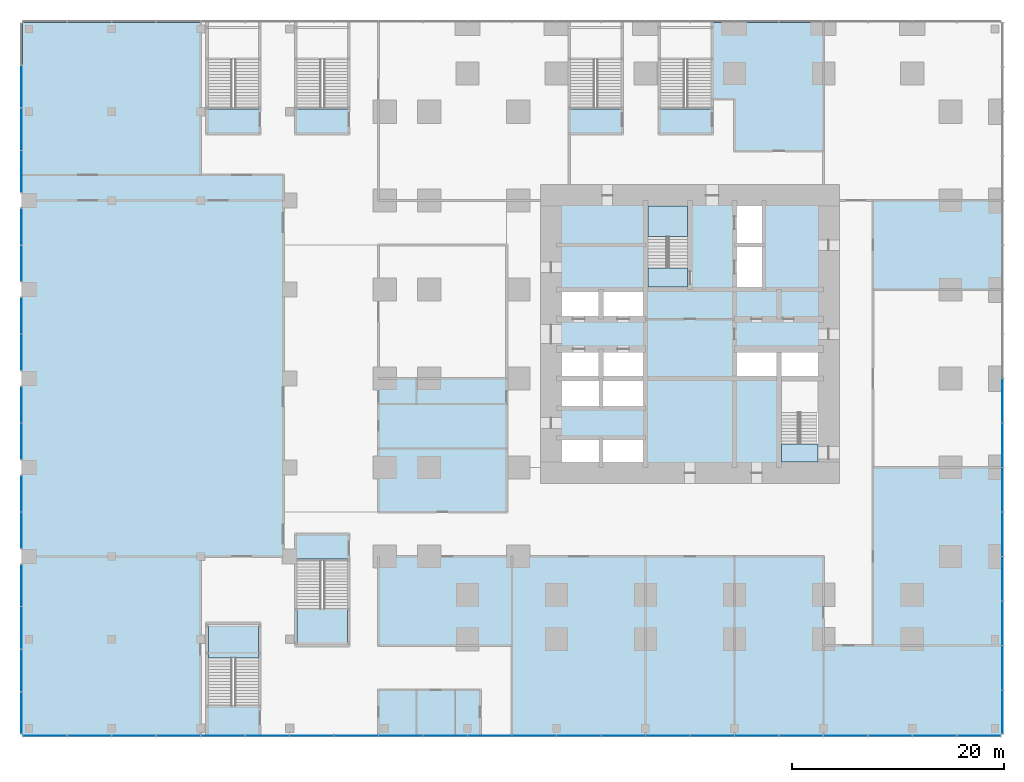
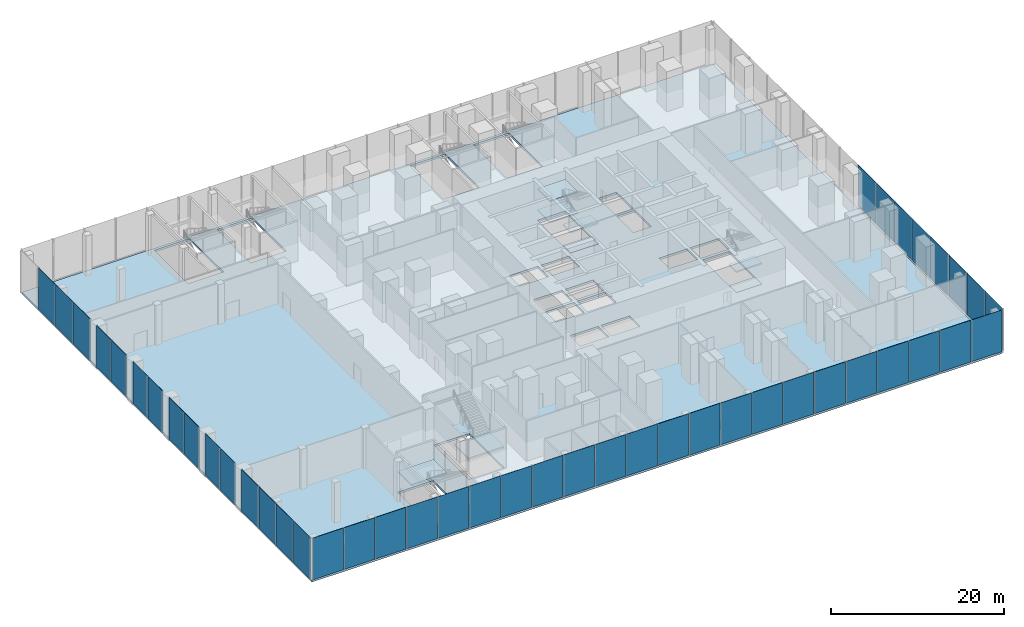
# One storey, part 23 of 32: 45 plates, 9 slabs, 12 elements without a shape of their own.
"""IFC4 building model written with IfcOpenShell, lengths in metres."""

from ifc_helpers import new_model, si_unit, direction, frame, origin, origin_2d, place, context, subcontext, project, spatial, polyline, rectangle, outline, extrude, material, layer, layer_set, type_object, element, aggregate, save


model = new_model("IFC4")

# Units and contexts
model_context = context("Model", 3, precision=1e-05, world=origin(), true_north=direction((0.0, 1.0)))
body_context = subcontext(model_context, "Body", "Model", "MODEL_VIEW")
ifc_project = project(units=[si_unit("LENGTHUNIT", "METRE"), si_unit("AREAUNIT", "SQUARE_METRE"), si_unit("VOLUMEUNIT", "CUBIC_METRE"), si_unit("PLANEANGLEUNIT", "RADIAN"), si_unit("MASSUNIT", "GRAM", prefix="KILO")], contexts=[model_context])

# Site, building, storey
site_placement = place(None, origin())
site = spatial("IfcSite", under=ifc_project, at=site_placement, CompositionType="ELEMENT")
building_placement = place(site_placement, origin())
building = spatial("IfcBuilding", under=site, at=building_placement, Name="Dunama Terrace Hotel", CompositionType="ELEMENT")
storey_placement = place(building_placement, frame((0.0, 0.0, 6.0)))
storey = spatial("IfcBuildingStorey", under=building, at=storey_placement, Name="L01", CompositionType="ELEMENT", Elevation=6.0)

# Curtain wall, plates
ifc_material_1 = material(Name="Aluminium curtain wall system", Category="aluminium")
curtain_wall_type = type_object("IfcCurtainWallType", Name="Podium storefront glazing CW-E", PredefinedType="NOTDEFINED", material=ifc_material_1)
curtain_wall_1_placement = place(storey_placement, origin())
curtain_wall_1 = element("IfcCurtainWall", 1, at=curtain_wall_1_placement, inside=storey, type_object=curtain_wall_type, Name="Podium storefront glazing CW-E L01", PredefinedType="NOTDEFINED")
ifc_material_2 = material(Name="Laminated glass", Category="glass")
ifc_layer_1 = layer(ifc_material_2, 0.033935546875)
ifc_layer_set_1 = layer_set([ifc_layer_1], Name="CWE clear glass panel")
plate_type_1 = type_object("IfcPlateType", Name="CWE clear glass panel", PredefinedType="CURTAIN_PANEL", material=ifc_layer_set_1)
plate_1_placement = place(storey_placement, frame((-31.47998046875, -8.52490234375, 0.08984375), z_axis=(0.0, 0.0, 1.0), x_axis=(1.0, 0.0, 0.0)))
plate_1 = element("IfcPlate", 2, at=plate_1_placement, type_object=plate_type_1, Name="CWE clear glass panel", PredefinedType="CURTAIN_PANEL", context=body_context, shape_type="SweptSolid", body=[
    extrude(rectangle(XDim=4.080078125, YDim=0.033935546875, at=origin_2d()), origin(), (0.0, 0.0, 1.0), 5.909912109375),
])
plate_2_placement = place(storey_placement, frame((-18.89990234375, -8.52490234375, 0.08984375), z_axis=(0.0, 0.0, 1.0), x_axis=(1.0, 0.0, 0.0)))
plate_2 = element("IfcPlate", 3, at=plate_2_placement, type_object=plate_type_1, Name="CWE clear glass panel", PredefinedType="CURTAIN_PANEL", context=body_context, shape_type="SweptSolid", body=[
    extrude(rectangle(XDim=4.1201171875, YDim=0.033935546875, at=origin_2d()), origin(), (0.0, 0.0, 1.0), 5.909912109375),
])
plate_3_placement = place(storey_placement, frame((-6.300048828125, -8.52490234375, 0.08984375), z_axis=(0.0, 0.0, 1.0), x_axis=(1.0, 0.0, 0.0)))
plate_3 = element("IfcPlate", 4, at=plate_3_placement, type_object=plate_type_1, Name="CWE clear glass panel", PredefinedType="CURTAIN_PANEL", context=body_context, shape_type="SweptSolid", body=[
    extrude(rectangle(XDim=4.1201171875, YDim=0.033935546875, at=origin_2d()), origin(), (0.0, 0.0, 1.0), 5.909912109375),
])
plate_4_placement = place(storey_placement, frame((6.300048828125, -8.52490234375, 0.08984375), z_axis=(0.0, 0.0, 1.0), x_axis=(1.0, 0.0, 0.0)))
plate_4 = element("IfcPlate", 5, at=plate_4_placement, type_object=plate_type_1, Name="CWE clear glass panel", PredefinedType="CURTAIN_PANEL", context=body_context, shape_type="SweptSolid", body=[
    extrude(rectangle(XDim=4.1201171875, YDim=0.033935546875, at=origin_2d()), origin(), (0.0, 0.0, 1.0), 5.909912109375),
])
plate_5_placement = place(storey_placement, frame((18.89990234375, -8.52490234375, 0.08984375), z_axis=(0.0, 0.0, 1.0), x_axis=(1.0, 0.0, 0.0)))
plate_5 = element("IfcPlate", 6, at=plate_5_placement, type_object=plate_type_1, Name="CWE clear glass panel", PredefinedType="CURTAIN_PANEL", context=body_context, shape_type="SweptSolid", body=[
    extrude(rectangle(XDim=4.1201171875, YDim=0.033935546875, at=origin_2d()), origin(), (0.0, 0.0, 1.0), 5.909912109375),
])
plate_6_placement = place(storey_placement, frame((31.5, -8.52490234375, 0.08984375), z_axis=(0.0, 0.0, 1.0), x_axis=(1.0, 0.0, 0.0)))
plate_6 = element("IfcPlate", 7, at=plate_6_placement, type_object=plate_type_1, Name="CWE clear glass panel", PredefinedType="CURTAIN_PANEL", context=body_context, shape_type="SweptSolid", body=[
    extrude(rectangle(XDim=4.1201171875, YDim=0.033935546875, at=origin_2d()), origin(), (0.0, 0.0, 1.0), 5.909912109375),
])
plate_7_placement = place(storey_placement, frame((44.10009765625, -8.52490234375, 0.08984375), z_axis=(0.0, 0.0, 1.0), x_axis=(1.0, 0.0, 0.0)))
plate_7 = element("IfcPlate", 8, at=plate_7_placement, type_object=plate_type_1, Name="CWE clear glass panel", PredefinedType="CURTAIN_PANEL", context=body_context, shape_type="SweptSolid", body=[
    extrude(rectangle(XDim=4.1201171875, YDim=0.033935546875, at=origin_2d()), origin(), (0.0, 0.0, 1.0), 5.909912109375),
])
plate_8_placement = place(storey_placement, frame((56.679931640625, -8.52490234375, 0.08984375), z_axis=(0.0, 0.0, 1.0), x_axis=(1.0, 0.0, 0.0)))
plate_8 = element("IfcPlate", 9, at=plate_8_placement, type_object=plate_type_1, Name="CWE clear glass panel", PredefinedType="CURTAIN_PANEL", context=body_context, shape_type="SweptSolid", body=[
    extrude(rectangle(XDim=4.080078125, YDim=0.033935546875, at=origin_2d()), origin(), (0.0, 0.0, 1.0), 5.909912109375),
])

curtain_wall_2_placement = place(storey_placement, origin())
curtain_wall_2 = element("IfcCurtainWall", 10, at=curtain_wall_2_placement, inside=storey, type_object=curtain_wall_type, Name="Podium storefront glazing CW-E L01", PredefinedType="NOTDEFINED")
plate_9_placement = place(storey_placement, frame((58.925048828125, -6.280029296875, 0.08984375), z_axis=(0.0, 0.0, 1.0), x_axis=(0.0, 1.0, 0.0)))
plate_9 = element("IfcPlate", 11, at=plate_9_placement, type_object=plate_type_1, Name="CWE clear glass panel", PredefinedType="CURTAIN_PANEL", context=body_context, shape_type="SweptSolid", body=[
    extrude(rectangle(XDim=4.080078125, YDim=0.033935546875, at=origin_2d()), origin(), (0.0, 0.0, 1.0), 5.909912109375),
])
plate_10_placement = place(storey_placement, frame((58.925048828125, 6.300048828125, 0.08984375), z_axis=(0.0, 0.0, 1.0), x_axis=(0.0, 1.0, 0.0)))
plate_10 = element("IfcPlate", 12, at=plate_10_placement, type_object=plate_type_1, Name="CWE clear glass panel", PredefinedType="CURTAIN_PANEL", context=body_context, shape_type="SweptSolid", body=[
    extrude(rectangle(XDim=4.1201171875, YDim=0.033935546875, at=origin_2d()), origin(), (0.0, 0.0, 1.0), 5.909912109375),
])
plate_11_placement = place(storey_placement, frame((58.925048828125, 18.89990234375, 0.08984375), z_axis=(0.0, 0.0, 1.0), x_axis=(0.0, 1.0, 0.0)))
plate_11 = element("IfcPlate", 13, at=plate_11_placement, type_object=plate_type_1, Name="CWE clear glass panel", PredefinedType="CURTAIN_PANEL", context=body_context, shape_type="SweptSolid", body=[
    extrude(rectangle(XDim=4.1201171875, YDim=0.033935546875, at=origin_2d()), origin(), (0.0, 0.0, 1.0), 5.909912109375),
])

# Curtain wall, plate
curtain_wall_3_placement = place(storey_placement, origin())
curtain_wall_3 = element("IfcCurtainWall", 14, at=curtain_wall_3_placement, inside=storey, type_object=curtain_wall_type, Name="Podium storefront glazing CW-E L01", PredefinedType="NOTDEFINED")
plate_12_placement = place(storey_placement, frame((-33.72509765625, 44.73291015625, 0.08984375), z_axis=(0.0, 0.0, 1.0), x_axis=(0.0, -1.0, 0.0)))
plate_12 = element("IfcPlate", 15, at=plate_12_placement, type_object=plate_type_1, Name="CWE clear glass panel", PredefinedType="CURTAIN_PANEL", context=body_context, shape_type="SweptSolid", body=[
    extrude(rectangle(XDim=3.905029296875, YDim=0.033935546875, at=origin_2d()), origin(), (0.0, 0.0, 1.0), 5.909912109375),
])

curtain_wall_4_placement = place(storey_placement, origin())
curtain_wall_4 = element("IfcCurtainWall", 16, at=curtain_wall_4_placement, inside=storey, type_object=curtain_wall_type, Name="Podium storefront glazing CW-E L01", PredefinedType="NOTDEFINED")
plate_13_placement = place(storey_placement, frame((-33.72509765625, 39.530029296875, 0.08984375), z_axis=(0.0, 0.0, 1.0), x_axis=(0.0, -1.0, 0.0)))
plate_13 = element("IfcPlate", 17, at=plate_13_placement, type_object=plate_type_1, Name="CWE clear glass panel", PredefinedType="CURTAIN_PANEL", context=body_context, shape_type="SweptSolid", body=[
    extrude(rectangle(XDim=3.3798828125, YDim=0.033935546875, at=origin_2d()), origin(), (0.0, 0.0, 1.0), 5.909912109375),
])

curtain_wall_5_placement = place(storey_placement, origin())
curtain_wall_5 = element("IfcCurtainWall", 18, at=curtain_wall_5_placement, inside=storey, type_object=curtain_wall_type, Name="Podium storefront glazing CW-E L01", PredefinedType="NOTDEFINED")
plate_14_placement = place(storey_placement, frame((-33.72509765625, 31.1298828125, 0.08984375), z_axis=(0.0, 0.0, 1.0), x_axis=(0.0, -1.0, 0.0)))
plate_14 = element("IfcPlate", 19, at=plate_14_placement, type_object=plate_type_1, Name="CWE clear glass panel", PredefinedType="CURTAIN_PANEL", context=body_context, shape_type="SweptSolid", body=[
    extrude(rectangle(XDim=3.3798828125, YDim=0.033935546875, at=origin_2d()), origin(), (0.0, 0.0, 1.0), 5.909912109375),
])

curtain_wall_6_placement = place(storey_placement, origin())
curtain_wall_6 = element("IfcCurtainWall", 20, at=curtain_wall_6_placement, inside=storey, type_object=curtain_wall_type, Name="Podium storefront glazing CW-E L01", PredefinedType="NOTDEFINED")
plate_15_placement = place(storey_placement, frame((-33.72509765625, 22.72998046875, 0.08984375), z_axis=(0.0, 0.0, 1.0), x_axis=(0.0, -1.0, 0.0)))
plate_15 = element("IfcPlate", 21, at=plate_15_placement, type_object=plate_type_1, Name="CWE clear glass panel", PredefinedType="CURTAIN_PANEL", context=body_context, shape_type="SweptSolid", body=[
    extrude(rectangle(XDim=3.3798828125, YDim=0.033935546875, at=origin_2d()), origin(), (0.0, 0.0, 1.0), 5.909912109375),
])

curtain_wall_7_placement = place(storey_placement, origin())
curtain_wall_7 = element("IfcCurtainWall", 22, at=curtain_wall_7_placement, inside=storey, type_object=curtain_wall_type, Name="Podium storefront glazing CW-E L01", PredefinedType="NOTDEFINED")
plate_16_placement = place(storey_placement, frame((-33.72509765625, 14.330078125, 0.08984375), z_axis=(0.0, 0.0, 1.0), x_axis=(0.0, -1.0, 0.0)))
plate_16 = element("IfcPlate", 23, at=plate_16_placement, type_object=plate_type_1, Name="CWE clear glass panel", PredefinedType="CURTAIN_PANEL", context=body_context, shape_type="SweptSolid", body=[
    extrude(rectangle(XDim=3.3798828125, YDim=0.033935546875, at=origin_2d()), origin(), (0.0, 0.0, 1.0), 5.909912109375),
])

# Curtain wall, plates
curtain_wall_8_placement = place(storey_placement, origin())
curtain_wall_8 = element("IfcCurtainWall", 24, at=curtain_wall_8_placement, inside=storey, type_object=curtain_wall_type, Name="Podium storefront glazing CW-E L01", PredefinedType="NOTDEFINED")
plate_17_placement = place(storey_placement, frame((-33.72509765625, 5.66796875, 0.08984375), z_axis=(0.0, 0.0, 1.0), x_axis=(0.0, -1.0, 0.0)))
plate_17 = element("IfcPlate", 25, at=plate_17_placement, type_object=plate_type_1, Name="CWE clear glass panel", PredefinedType="CURTAIN_PANEL", context=body_context, shape_type="SweptSolid", body=[
    extrude(rectangle(XDim=3.905029296875, YDim=0.033935546875, at=origin_2d()), origin(), (0.0, 0.0, 1.0), 5.909912109375),
])
plate_18_placement = place(storey_placement, frame((-33.72509765625, -6.367919921875, 0.08984375), z_axis=(0.0, 0.0, 1.0), x_axis=(0.0, -1.0, 0.0)))
plate_18 = element("IfcPlate", 26, at=plate_18_placement, type_object=plate_type_1, Name="CWE clear glass panel", PredefinedType="CURTAIN_PANEL", context=body_context, shape_type="SweptSolid", body=[
    extrude(rectangle(XDim=3.905029296875, YDim=0.033935546875, at=origin_2d()), origin(), (0.0, 0.0, 1.0), 5.909912109375),
])

# Plate
ifc_material_3 = material(Name="Fritted laminated glass", Category="glass")
ifc_layer_2 = layer(ifc_material_3, 0.033935546875)
ifc_layer_set_2 = layer_set([ifc_layer_2], Name="CWE fritted glass panel")
plate_type_2 = type_object("IfcPlateType", Name="CWE fritted glass panel", PredefinedType="CURTAIN_PANEL", material=ifc_layer_set_2)
plate_19_placement = place(storey_placement, frame((-23.10009765625, -8.52490234375, 0.08984375), z_axis=(0.0, 0.0, 1.0), x_axis=(1.0, 0.0, 0.0)))
plate_19 = element("IfcPlate", 27, at=plate_19_placement, type_object=plate_type_2, Name="CWE fritted glass panel", PredefinedType="CURTAIN_PANEL", context=body_context, shape_type="SweptSolid", body=[
    extrude(rectangle(XDim=4.1201171875, YDim=0.033935546875, at=origin_2d()), origin(), (0.0, 0.0, 1.0), 5.909912109375),
])

plate_20_placement = place(storey_placement, frame((-10.5, -8.52490234375, 0.08984375), z_axis=(0.0, 0.0, 1.0), x_axis=(1.0, 0.0, 0.0)))
plate_20 = element("IfcPlate", 28, at=plate_20_placement, type_object=plate_type_2, Name="CWE fritted glass panel", PredefinedType="CURTAIN_PANEL", context=body_context, shape_type="SweptSolid", body=[
    extrude(rectangle(XDim=4.1201171875, YDim=0.033935546875, at=origin_2d()), origin(), (0.0, 0.0, 1.0), 5.909912109375),
])

plate_21_placement = place(storey_placement, frame((2.10009765625, -8.52490234375, 0.08984375), z_axis=(0.0, 0.0, 1.0), x_axis=(1.0, 0.0, 0.0)))
plate_21 = element("IfcPlate", 29, at=plate_21_placement, type_object=plate_type_2, Name="CWE fritted glass panel", PredefinedType="CURTAIN_PANEL", context=body_context, shape_type="SweptSolid", body=[
    extrude(rectangle(XDim=4.1201171875, YDim=0.033935546875, at=origin_2d()), origin(), (0.0, 0.0, 1.0), 5.909912109375),
])

plate_22_placement = place(storey_placement, frame((14.699951171875, -8.52490234375, 0.08984375), z_axis=(0.0, 0.0, 1.0), x_axis=(1.0, 0.0, 0.0)))
plate_22 = element("IfcPlate", 30, at=plate_22_placement, type_object=plate_type_2, Name="CWE fritted glass panel", PredefinedType="CURTAIN_PANEL", context=body_context, shape_type="SweptSolid", body=[
    extrude(rectangle(XDim=4.1201171875, YDim=0.033935546875, at=origin_2d()), origin(), (0.0, 0.0, 1.0), 5.909912109375),
])

plate_23_placement = place(storey_placement, frame((27.300048828125, -8.52490234375, 0.08984375), z_axis=(0.0, 0.0, 1.0), x_axis=(1.0, 0.0, 0.0)))
plate_23 = element("IfcPlate", 31, at=plate_23_placement, type_object=plate_type_2, Name="CWE fritted glass panel", PredefinedType="CURTAIN_PANEL", context=body_context, shape_type="SweptSolid", body=[
    extrude(rectangle(XDim=4.1201171875, YDim=0.033935546875, at=origin_2d()), origin(), (0.0, 0.0, 1.0), 5.909912109375),
])

plate_24_placement = place(storey_placement, frame((39.89990234375, -8.52490234375, 0.08984375), z_axis=(0.0, 0.0, 1.0), x_axis=(1.0, 0.0, 0.0)))
plate_24 = element("IfcPlate", 32, at=plate_24_placement, type_object=plate_type_2, Name="CWE fritted glass panel", PredefinedType="CURTAIN_PANEL", context=body_context, shape_type="SweptSolid", body=[
    extrude(rectangle(XDim=4.1201171875, YDim=0.033935546875, at=origin_2d()), origin(), (0.0, 0.0, 1.0), 5.909912109375),
])

plate_25_placement = place(storey_placement, frame((52.5, -8.52490234375, 0.08984375), z_axis=(0.0, 0.0, 1.0), x_axis=(1.0, 0.0, 0.0)))
plate_25 = element("IfcPlate", 33, at=plate_25_placement, type_object=plate_type_2, Name="CWE fritted glass panel", PredefinedType="CURTAIN_PANEL", context=body_context, shape_type="SweptSolid", body=[
    extrude(rectangle(XDim=4.1201171875, YDim=0.033935546875, at=origin_2d()), origin(), (0.0, 0.0, 1.0), 5.909912109375),
])

plate_26_placement = place(storey_placement, frame((58.925048828125, 2.10009765625, 0.08984375), z_axis=(0.0, 0.0, 1.0), x_axis=(0.0, 1.0, 0.0)))
plate_26 = element("IfcPlate", 34, at=plate_26_placement, type_object=plate_type_2, Name="CWE fritted glass panel", PredefinedType="CURTAIN_PANEL", context=body_context, shape_type="SweptSolid", body=[
    extrude(rectangle(XDim=4.1201171875, YDim=0.033935546875, at=origin_2d()), origin(), (0.0, 0.0, 1.0), 5.909912109375),
])

plate_27_placement = place(storey_placement, frame((58.925048828125, 14.699951171875, 0.08984375), z_axis=(0.0, 0.0, 1.0), x_axis=(0.0, 1.0, 0.0)))
plate_27 = element("IfcPlate", 35, at=plate_27_placement, type_object=plate_type_2, Name="CWE fritted glass panel", PredefinedType="CURTAIN_PANEL", context=body_context, shape_type="SweptSolid", body=[
    extrude(rectangle(XDim=4.1201171875, YDim=0.033935546875, at=origin_2d()), origin(), (0.0, 0.0, 1.0), 5.909912109375),
])

plate_28_placement = place(storey_placement, frame((-33.72509765625, 48.737060546875, 0.08984375), z_axis=(0.0, 0.0, 1.0), x_axis=(0.0, -1.0, 0.0)))
plate_28 = element("IfcPlate", 36, at=plate_28_placement, type_object=plate_type_2, Name="CWE fritted glass panel", PredefinedType="CURTAIN_PANEL", context=body_context, shape_type="SweptSolid", body=[
    extrude(rectangle(XDim=3.945068359375, YDim=0.033935546875, at=origin_2d()), origin(), (0.0, 0.0, 1.0), 5.909912109375),
])

plate_29_placement = place(storey_placement, frame((-33.72509765625, -2.362060546875, 0.08984375), z_axis=(0.0, 0.0, 1.0), x_axis=(0.0, -1.0, 0.0)))
plate_29 = element("IfcPlate", 37, at=plate_29_placement, type_object=plate_type_2, Name="CWE fritted glass panel", PredefinedType="CURTAIN_PANEL", context=body_context, shape_type="SweptSolid", body=[
    extrude(rectangle(XDim=3.945068359375, YDim=0.033935546875, at=origin_2d()), origin(), (0.0, 0.0, 1.0), 5.909912109375),
])

ifc_material_4 = material(Name="Laminated glass", Category="glass")
ifc_layer_3 = layer(ifc_material_4, 0.033935546875)
ifc_layer_set_3 = layer_set([ifc_layer_3], Name="CWE operable glass panel")
plate_type_3 = type_object("IfcPlateType", Name="CWE operable glass panel", PredefinedType="CURTAIN_PANEL", material=ifc_layer_set_3)
plate_30_placement = place(storey_placement, frame((-27.300048828125, -8.52490234375, 0.08984375), z_axis=(0.0, 0.0, 1.0), x_axis=(1.0, 0.0, 0.0)))
plate_30 = element("IfcPlate", 38, at=plate_30_placement, type_object=plate_type_3, Name="CWE operable glass panel", PredefinedType="CURTAIN_PANEL", context=body_context, shape_type="SweptSolid", body=[
    extrude(rectangle(XDim=4.1201171875, YDim=0.033935546875, at=origin_2d()), origin(), (0.0, 0.0, 1.0), 5.909912109375),
])

plate_31_placement = place(storey_placement, frame((-14.699951171875, -8.52490234375, 0.08984375), z_axis=(0.0, 0.0, 1.0), x_axis=(1.0, 0.0, 0.0)))
plate_31 = element("IfcPlate", 39, at=plate_31_placement, type_object=plate_type_3, Name="CWE operable glass panel", PredefinedType="CURTAIN_PANEL", context=body_context, shape_type="SweptSolid", body=[
    extrude(rectangle(XDim=4.1201171875, YDim=0.033935546875, at=origin_2d()), origin(), (0.0, 0.0, 1.0), 5.909912109375),
])

plate_32_placement = place(storey_placement, frame((-2.10009765625, -8.52490234375, 0.08984375), z_axis=(0.0, 0.0, 1.0), x_axis=(1.0, 0.0, 0.0)))
plate_32 = element("IfcPlate", 40, at=plate_32_placement, type_object=plate_type_3, Name="CWE operable glass panel", PredefinedType="CURTAIN_PANEL", context=body_context, shape_type="SweptSolid", body=[
    extrude(rectangle(XDim=4.1201171875, YDim=0.033935546875, at=origin_2d()), origin(), (0.0, 0.0, 1.0), 5.909912109375),
])

plate_33_placement = place(storey_placement, frame((10.5, -8.52490234375, 0.08984375), z_axis=(0.0, 0.0, 1.0), x_axis=(1.0, 0.0, 0.0)))
plate_33 = element("IfcPlate", 41, at=plate_33_placement, type_object=plate_type_3, Name="CWE operable glass panel", PredefinedType="CURTAIN_PANEL", context=body_context, shape_type="SweptSolid", body=[
    extrude(rectangle(XDim=4.1201171875, YDim=0.033935546875, at=origin_2d()), origin(), (0.0, 0.0, 1.0), 5.909912109375),
])

plate_34_placement = place(storey_placement, frame((23.10009765625, -8.52490234375, 0.08984375), z_axis=(0.0, 0.0, 1.0), x_axis=(1.0, 0.0, 0.0)))
plate_34 = element("IfcPlate", 42, at=plate_34_placement, type_object=plate_type_3, Name="CWE operable glass panel", PredefinedType="CURTAIN_PANEL", context=body_context, shape_type="SweptSolid", body=[
    extrude(rectangle(XDim=4.1201171875, YDim=0.033935546875, at=origin_2d()), origin(), (0.0, 0.0, 1.0), 5.909912109375),
])

plate_35_placement = place(storey_placement, frame((35.699951171875, -8.52490234375, 0.08984375), z_axis=(0.0, 0.0, 1.0), x_axis=(1.0, 0.0, 0.0)))
plate_35 = element("IfcPlate", 43, at=plate_35_placement, type_object=plate_type_3, Name="CWE operable glass panel", PredefinedType="CURTAIN_PANEL", context=body_context, shape_type="SweptSolid", body=[
    extrude(rectangle(XDim=4.1201171875, YDim=0.033935546875, at=origin_2d()), origin(), (0.0, 0.0, 1.0), 5.909912109375),
])

plate_36_placement = place(storey_placement, frame((48.300048828125, -8.52490234375, 0.08984375), z_axis=(0.0, 0.0, 1.0), x_axis=(1.0, 0.0, 0.0)))
plate_36 = element("IfcPlate", 44, at=plate_36_placement, type_object=plate_type_3, Name="CWE operable glass panel", PredefinedType="CURTAIN_PANEL", context=body_context, shape_type="SweptSolid", body=[
    extrude(rectangle(XDim=4.1201171875, YDim=0.033935546875, at=origin_2d()), origin(), (0.0, 0.0, 1.0), 5.909912109375),
])

aggregate(curtain_wall_1, [plate_1, plate_30, plate_19, plate_2, plate_31, plate_20, plate_3, plate_32, plate_21, plate_4, plate_33, plate_22, plate_5, plate_34, plate_23, plate_6, plate_35, plate_24, plate_7, plate_36, plate_25, plate_8])

plate_37_placement = place(storey_placement, frame((58.925048828125, -2.10009765625, 0.08984375), z_axis=(0.0, 0.0, 1.0), x_axis=(0.0, 1.0, 0.0)))
plate_37 = element("IfcPlate", 45, at=plate_37_placement, type_object=plate_type_3, Name="CWE operable glass panel", PredefinedType="CURTAIN_PANEL", context=body_context, shape_type="SweptSolid", body=[
    extrude(rectangle(XDim=4.1201171875, YDim=0.033935546875, at=origin_2d()), origin(), (0.0, 0.0, 1.0), 5.909912109375),
])

plate_38_placement = place(storey_placement, frame((58.925048828125, 10.5, 0.08984375), z_axis=(0.0, 0.0, 1.0), x_axis=(0.0, 1.0, 0.0)))
plate_38 = element("IfcPlate", 46, at=plate_38_placement, type_object=plate_type_3, Name="CWE operable glass panel", PredefinedType="CURTAIN_PANEL", context=body_context, shape_type="SweptSolid", body=[
    extrude(rectangle(XDim=4.1201171875, YDim=0.033935546875, at=origin_2d()), origin(), (0.0, 0.0, 1.0), 5.909912109375),
])

plate_39_placement = place(storey_placement, frame((58.925048828125, 23.10009765625, 0.08984375), z_axis=(0.0, 0.0, 1.0), x_axis=(0.0, 1.0, 0.0)))
plate_39 = element("IfcPlate", 47, at=plate_39_placement, type_object=plate_type_3, Name="CWE operable glass panel", PredefinedType="CURTAIN_PANEL", context=body_context, shape_type="SweptSolid", body=[
    extrude(rectangle(XDim=4.1201171875, YDim=0.033935546875, at=origin_2d()), origin(), (0.0, 0.0, 1.0), 5.909912109375),
])

aggregate(curtain_wall_2, [plate_9, plate_37, plate_26, plate_10, plate_38, plate_27, plate_11, plate_39])

plate_40_placement = place(storey_placement, frame((-33.72509765625, 52.762939453125, 0.08984375), z_axis=(0.0, 0.0, 1.0), x_axis=(0.0, -1.0, 0.0)))
plate_40 = element("IfcPlate", 48, at=plate_40_placement, type_object=plate_type_3, Name="CWE operable glass panel", PredefinedType="CURTAIN_PANEL", context=body_context, shape_type="SweptSolid", body=[
    extrude(rectangle(XDim=3.945068359375, YDim=0.033935546875, at=origin_2d()), origin(), (0.0, 0.0, 1.0), 5.909912109375),
])

aggregate(curtain_wall_3, [plate_40, plate_28, plate_12])

plate_41_placement = place(storey_placement, frame((-33.72509765625, 36.070068359375, 0.08984375), z_axis=(0.0, 0.0, 1.0), x_axis=(0.0, -1.0, 0.0)))
plate_41 = element("IfcPlate", 49, at=plate_41_placement, type_object=plate_type_3, Name="CWE operable glass panel", PredefinedType="CURTAIN_PANEL", context=body_context, shape_type="SweptSolid", body=[
    extrude(rectangle(XDim=3.3798828125, YDim=0.033935546875, at=origin_2d()), origin(), (0.0, 0.0, 1.0), 5.909912109375),
])

aggregate(curtain_wall_4, [plate_13, plate_41])

plate_42_placement = place(storey_placement, frame((-33.72509765625, 27.669921875, 0.08984375), z_axis=(0.0, 0.0, 1.0), x_axis=(0.0, -1.0, 0.0)))
plate_42 = element("IfcPlate", 50, at=plate_42_placement, type_object=plate_type_3, Name="CWE operable glass panel", PredefinedType="CURTAIN_PANEL", context=body_context, shape_type="SweptSolid", body=[
    extrude(rectangle(XDim=3.3798828125, YDim=0.033935546875, at=origin_2d()), origin(), (0.0, 0.0, 1.0), 5.909912109375),
])

aggregate(curtain_wall_5, [plate_14, plate_42])

plate_43_placement = place(storey_placement, frame((-33.72509765625, 19.27001953125, 0.08984375), z_axis=(0.0, 0.0, 1.0), x_axis=(0.0, -1.0, 0.0)))
plate_43 = element("IfcPlate", 51, at=plate_43_placement, type_object=plate_type_3, Name="CWE operable glass panel", PredefinedType="CURTAIN_PANEL", context=body_context, shape_type="SweptSolid", body=[
    extrude(rectangle(XDim=3.3798828125, YDim=0.033935546875, at=origin_2d()), origin(), (0.0, 0.0, 1.0), 5.909912109375),
])

aggregate(curtain_wall_6, [plate_15, plate_43])

plate_44_placement = place(storey_placement, frame((-33.72509765625, 10.8701171875, 0.08984375), z_axis=(0.0, 0.0, 1.0), x_axis=(0.0, -1.0, 0.0)))
plate_44 = element("IfcPlate", 52, at=plate_44_placement, type_object=plate_type_3, Name="CWE operable glass panel", PredefinedType="CURTAIN_PANEL", context=body_context, shape_type="SweptSolid", body=[
    extrude(rectangle(XDim=3.3798828125, YDim=0.033935546875, at=origin_2d()), origin(), (0.0, 0.0, 1.0), 5.909912109375),
])

aggregate(curtain_wall_7, [plate_16, plate_44])

plate_45_placement = place(storey_placement, frame((-33.72509765625, 1.662109375, 0.08984375), z_axis=(0.0, 0.0, 1.0), x_axis=(0.0, -1.0, 0.0)))
plate_45 = element("IfcPlate", 53, at=plate_45_placement, type_object=plate_type_3, Name="CWE operable glass panel", PredefinedType="CURTAIN_PANEL", context=body_context, shape_type="SweptSolid", body=[
    extrude(rectangle(XDim=3.945068359375, YDim=0.033935546875, at=origin_2d()), origin(), (0.0, 0.0, 1.0), 5.909912109375),
])

aggregate(curtain_wall_8, [plate_17, plate_45, plate_29, plate_18])

# Slab
ifc_material_5 = material(Name="Concrete C40/50", Category="concrete")
ifc_layer_4 = layer(ifc_material_5, 0.300048828125)
ifc_layer_set_4 = layer_set([ifc_layer_4], Name="Podium slab 300")
slab_type_1 = type_object("IfcSlabType", Name="Podium slab 300", PredefinedType="FLOOR", material=ifc_layer_set_4)
slab_1_placement = place(storey_placement, frame((0.0, 0.0, -0.300048828125)))
element("IfcSlab", 54, at=slab_1_placement, inside=storey, type_object=slab_type_1, Name="Floor slab L01", PredefinedType="FLOOR", context=body_context, shape_type="SweptSolid", body=[
    extrude(outline(polyline([(-33.60009765625, -8.39990234375), (58.800048828125, -8.39990234375), (58.800048828125, 58.800048828125), (-33.60009765625, 58.800048828125), (-33.60009765625, -8.39990234375)]), holes=[polyline([(20.800048828125, 25.39990234375), (20.800048828125, 27.800048828125), (17.0, 27.800048828125), (17.0, 25.39990234375), (20.800048828125, 25.39990234375)]), polyline([(25.0, 25.39990234375), (25.0, 27.800048828125), (21.199951171875, 27.800048828125), (21.199951171875, 25.39990234375), (25.0, 25.39990234375)]), polyline([(20.800048828125, 31.0), (20.800048828125, 33.39990234375), (17.0, 33.39990234375), (17.0, 31.0), (20.800048828125, 31.0)]), polyline([(25.0, 31.0), (25.0, 33.39990234375), (21.199951171875, 33.39990234375), (21.199951171875, 31.0), (25.0, 31.0)]), polyline([(37.60009765625, 25.39990234375), (37.60009765625, 27.800048828125), (33.800048828125, 27.800048828125), (33.800048828125, 25.39990234375), (37.60009765625, 25.39990234375)]), polyline([(41.800048828125, 25.39990234375), (41.800048828125, 27.800048828125), (38.0, 27.800048828125), (38.0, 25.39990234375), (41.800048828125, 25.39990234375)]), polyline([(20.800048828125, 17.0), (20.800048828125, 19.39990234375), (17.0, 19.39990234375), (17.0, 17.0), (20.800048828125, 17.0)]), polyline([(25.0, 17.0), (25.0, 19.39990234375), (21.199951171875, 19.39990234375), (21.199951171875, 17.0), (25.0, 17.0)]), polyline([(20.800048828125, 22.60009765625), (20.800048828125, 25.0), (17.0, 25.0), (17.0, 22.60009765625), (20.800048828125, 22.60009765625)]), polyline([(25.0, 22.60009765625), (25.0, 25.0), (21.199951171875, 25.0), (21.199951171875, 22.60009765625), (25.0, 22.60009765625)]), polyline([(36.199951171875, 38.0), (36.199951171875, 41.800048828125), (33.800048828125, 41.800048828125), (33.800048828125, 38.0), (36.199951171875, 38.0)]), polyline([(36.199951171875, 33.800048828125), (36.199951171875, 37.60009765625), (33.800048828125, 37.60009765625), (33.800048828125, 33.800048828125), (36.199951171875, 33.800048828125)]), polyline([(29.175048828125, 33.824951171875), (29.175048828125, 41.5), (25.425048828125, 41.5), (25.425048828125, 33.824951171875), (29.175048828125, 33.824951171875)]), polyline([(41.5, 17.300048828125), (41.5, 24.97509765625), (38.050048828125, 24.97509765625), (38.050048828125, 17.300048828125), (41.5, 17.300048828125)]), polyline([(-11.324951171875, 50.659912109375), (-11.324951171875, 58.449951171875), (-16.074951171875, 58.449951171875), (-16.074951171875, 50.659912109375), (-11.324951171875, 50.659912109375)]), polyline([(-11.324951171875, -5.81494140625), (-11.324951171875, 1.97509765625), (-16.074951171875, 1.97509765625), (-16.074951171875, -5.81494140625), (-11.324951171875, -5.81494140625)]), polyline([(-2.925048828125, 50.659912109375), (-2.925048828125, 58.449951171875), (-7.675048828125, 58.449951171875), (-7.675048828125, 50.659912109375), (-2.925048828125, 50.659912109375)]), polyline([(-2.925048828125, 0.125), (-2.925048828125, 8.139892578125), (-7.675048828125, 8.139892578125), (-7.675048828125, 0.125), (-2.925048828125, 0.125)]), polyline([(22.875, 50.659912109375), (22.875, 58.449951171875), (18.125, 58.449951171875), (18.125, 50.659912109375), (22.875, 50.659912109375)]), polyline([(31.375, 50.659912109375), (31.375, 58.449951171875), (26.625, 58.449951171875), (26.625, 50.659912109375), (31.375, 50.659912109375)])]), origin(), (0.0, 0.0, 1.0), 0.300048828125),
])

# Stair, slab
ifc_material_6 = material(Name="Concrete C40/50", Category="concrete")
stair_type_1 = type_object("IfcStairType", Name="Stair P2-6000-2250", PredefinedType="HALF_TURN_STAIR", material=ifc_material_6)
stair_1_placement = place(storey_placement, origin())
stair_1 = element("IfcStair", 55, at=stair_1_placement, inside=storey, type_object=stair_type_1, Name="Stair P2 L01", PredefinedType="HALF_TURN_STAIR")
ifc_material_7 = material(Name="Concrete C40/50", Category="concrete")
ifc_layer_5 = layer(ifc_material_7, 0.25)
ifc_layer_set_5 = layer_set([ifc_layer_5], Name="Podium stair landing 250")
slab_type_2 = type_object("IfcSlabType", Name="Podium stair landing 250", PredefinedType="LANDING", material=ifc_layer_set_5)
slab_2_placement = place(storey_placement, frame((0.0, 0.0, 2.75)))
slab_2 = element("IfcSlab", 56, at=slab_2_placement, type_object=slab_type_2, Name="P2 landing 1, type S11", PredefinedType="LANDING", context=body_context, shape_type="SweptSolid", body=[
    extrude(outline(polyline([(-16.074951171875, -1.169921875), (-11.324951171875, -1.169921875), (-11.324951171875, 1.97509765625), (-16.074951171875, 1.97509765625), (-16.074951171875, -1.169921875)])), origin(), (0.0, 0.0, 1.0), 0.25),
])
aggregate(stair_1, [slab_2])

ifc_material_8 = material(Name="Concrete C40/50", Category="concrete")
stair_type_2 = type_object("IfcStairType", Name="Stair P4-6000-2250", PredefinedType="HALF_TURN_STAIR", material=ifc_material_8)
stair_2_placement = place(storey_placement, origin())
stair_2 = element("IfcStair", 57, at=stair_2_placement, inside=storey, type_object=stair_type_2, Name="Stair P4 L01", PredefinedType="HALF_TURN_STAIR")
slab_3_placement = place(storey_placement, frame((0.0, 0.0, 2.75)))
slab_3 = element("IfcSlab", 58, at=slab_3_placement, type_object=slab_type_2, Name="P4 landing 1, type S11", PredefinedType="LANDING", context=body_context, shape_type="SweptSolid", body=[
    extrude(outline(polyline([(-7.675048828125, 0.125), (-2.925048828125, 0.125), (-2.925048828125, 3.4951171875), (-7.675048828125, 3.4951171875), (-7.675048828125, 0.125)])), origin(), (0.0, 0.0, 1.0), 0.25),
])
aggregate(stair_2, [slab_3])

# Stair, slabs
ifc_material_9 = material(Name="Concrete C40/50", Category="concrete")
stair_type_3 = type_object("IfcStairType", Name="Stair ST1-6000-1800", PredefinedType="HALF_TURN_STAIR", material=ifc_material_9)
stair_3_placement = place(storey_placement, origin())
stair_3 = element("IfcStair", 59, at=stair_3_placement, inside=storey, type_object=stair_type_3, Name="Stair ST1 L01", PredefinedType="HALF_TURN_STAIR")
ifc_material_10 = material(Name="Concrete C40/50", Category="concrete")
ifc_layer_6 = layer(ifc_material_10, 0.199951171875)
ifc_layer_set_6 = layer_set([ifc_layer_6], Name="Stair landing 200")
slab_type_3 = type_object("IfcSlabType", Name="Stair landing 200", PredefinedType="LANDING", material=ifc_layer_set_6)
slab_4_placement = place(storey_placement, frame((0.0, 0.0, -0.199951171875)))
slab_4 = element("IfcSlab", 60, at=slab_4_placement, type_object=slab_type_3, Name="ST1 landing 1, type S10", PredefinedType="LANDING", context=body_context, shape_type="SweptSolid", body=[
    extrude(outline(polyline([(25.425048828125, 33.824951171875), (29.175048828125, 33.824951171875), (29.175048828125, 35.625), (25.425048828125, 35.625), (25.425048828125, 33.824951171875)])), origin(), (0.0, 0.0, 1.0), 0.199951171875),
])
slab_5_placement = place(storey_placement, frame((0.0, 0.0, 1.300048828125)))
slab_5 = element("IfcSlab", 61, at=slab_5_placement, type_object=slab_type_3, Name="ST1 landing 2, type S10", PredefinedType="LANDING", context=body_context, shape_type="SweptSolid", body=[
    extrude(outline(polyline([(25.425048828125, 38.625), (29.175048828125, 38.625), (29.175048828125, 41.5), (25.425048828125, 41.5), (25.425048828125, 38.625)])), origin(), (0.0, 0.0, 1.0), 0.199951171875),
])
slab_6_placement = place(storey_placement, frame((0.0, 0.0, 2.800048828125)))
slab_6 = element("IfcSlab", 62, at=slab_6_placement, type_object=slab_type_3, Name="ST1 landing 3, type S10", PredefinedType="LANDING", context=body_context, shape_type="SweptSolid", body=[
    extrude(outline(polyline([(25.425048828125, 33.824951171875), (29.175048828125, 33.824951171875), (29.175048828125, 35.625), (25.425048828125, 35.625), (25.425048828125, 33.824951171875)])), origin(), (0.0, 0.0, 1.0), 0.199951171875),
])
slab_7_placement = place(storey_placement, frame((0.0, 0.0, 4.300048828125)))
slab_7 = element("IfcSlab", 63, at=slab_7_placement, type_object=slab_type_3, Name="ST1 landing 4, type S10", PredefinedType="LANDING", context=body_context, shape_type="SweptSolid", body=[
    extrude(outline(polyline([(25.425048828125, 38.625), (29.175048828125, 38.625), (29.175048828125, 41.5), (25.425048828125, 41.5), (25.425048828125, 38.625)])), origin(), (0.0, 0.0, 1.0), 0.199951171875),
])
aggregate(stair_3, [slab_4, slab_5, slab_6, slab_7])

ifc_material_11 = material(Name="Concrete C40/50", Category="concrete")
stair_type_4 = type_object("IfcStairType", Name="Stair ST2-6000-1600", PredefinedType="HALF_TURN_STAIR", material=ifc_material_11)
stair_4_placement = place(storey_placement, origin())
stair_4 = element("IfcStair", 64, at=stair_4_placement, inside=storey, type_object=stair_type_4, Name="Stair ST2 L01", PredefinedType="HALF_TURN_STAIR")
slab_8_placement = place(storey_placement, frame((0.0, 0.0, -0.199951171875)))
slab_8 = element("IfcSlab", 65, at=slab_8_placement, type_object=slab_type_3, Name="ST2 landing 1, type S10", PredefinedType="LANDING", context=body_context, shape_type="SweptSolid", body=[
    extrude(outline(polyline([(38.050048828125, 17.300048828125), (41.5, 17.300048828125), (41.5, 19.0), (38.050048828125, 19.0), (38.050048828125, 17.300048828125)])), origin(), (0.0, 0.0, 1.0), 0.199951171875),
])
slab_9_placement = place(storey_placement, frame((0.0, 0.0, 2.800048828125)))
slab_9 = element("IfcSlab", 66, at=slab_9_placement, type_object=slab_type_3, Name="ST2 landing 3, type S10", PredefinedType="LANDING", context=body_context, shape_type="SweptSolid", body=[
    extrude(outline(polyline([(38.050048828125, 17.300048828125), (41.5, 17.300048828125), (41.5, 19.0), (38.050048828125, 19.0), (38.050048828125, 17.300048828125)])), origin(), (0.0, 0.0, 1.0), 0.199951171875),
])
aggregate(stair_4, [slab_8, slab_9])

save(model, "model.ifc")
